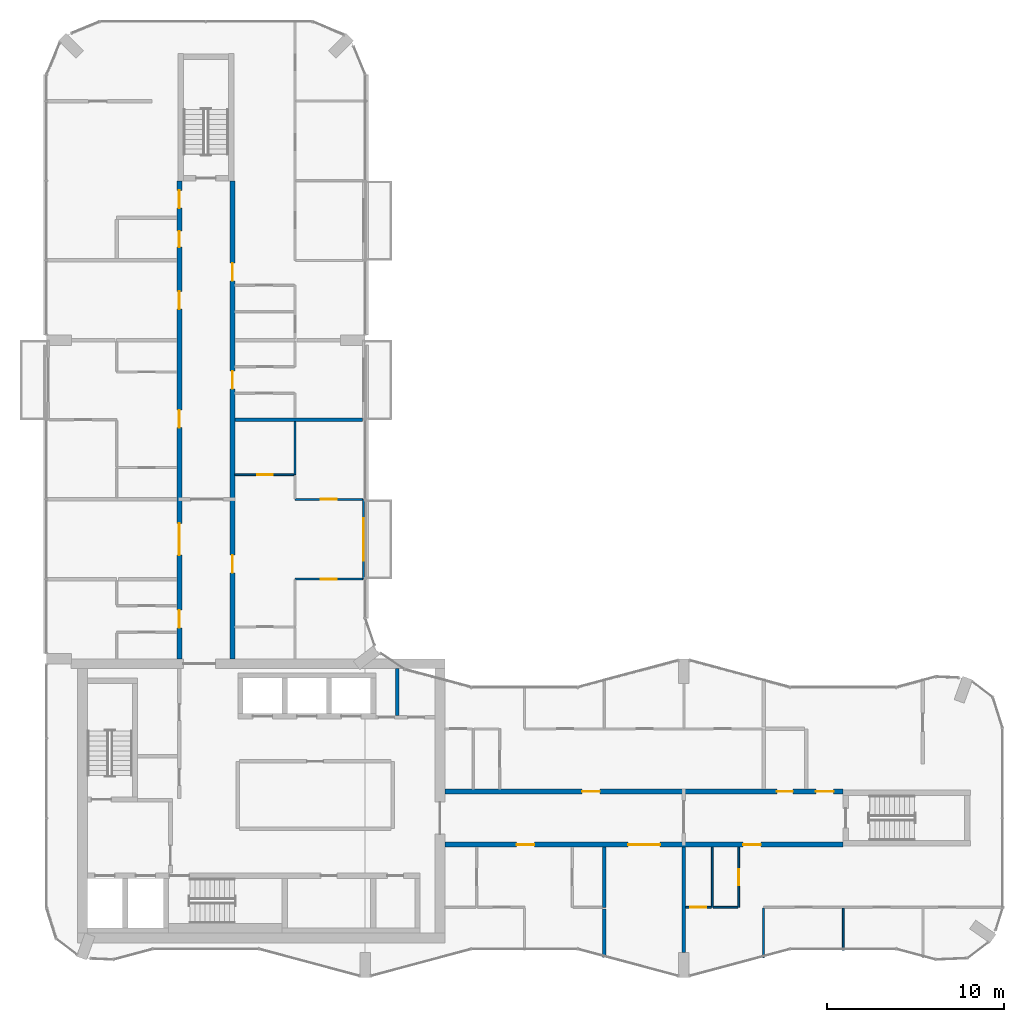
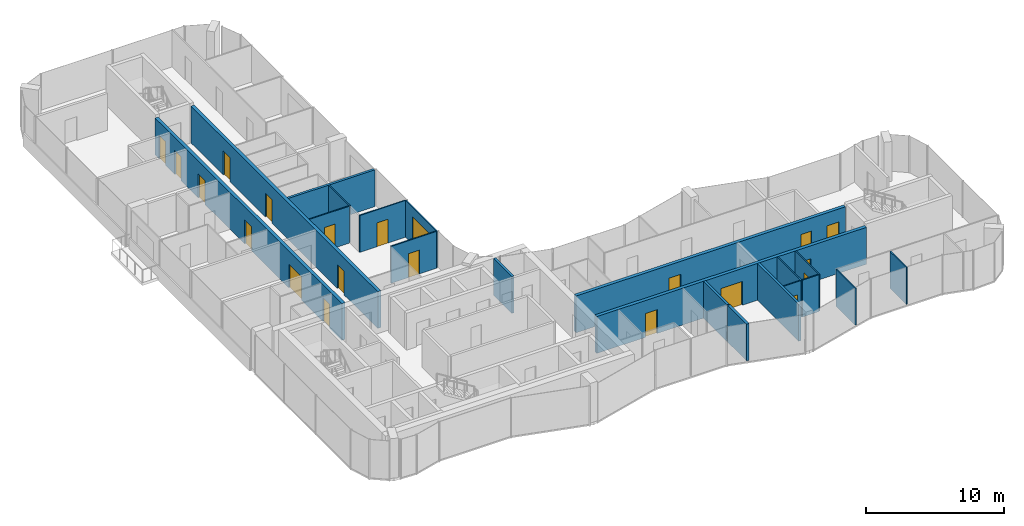
# One storey, part 11 of 15: 21 doors, 20 walls, 21 openings.
"""IFC4 building model written with IfcOpenShell, lengths in metres."""

from ifc_helpers import new_model, si_unit, direction, frame, frame_2d, origin, place, context, subcontext, project, spatial, rectangle, extrude, material, layer, layer_set, type_object, element, fill, save


model = new_model("IFC4")

# Units and contexts
model_context = context("Model", 3, precision=1e-05, world=origin(), true_north=direction((0.0, 1.0)))
body_context = subcontext(model_context, "Body", "Model", "MODEL_VIEW")
ifc_project = project(units=[si_unit("LENGTHUNIT", "METRE"), si_unit("AREAUNIT", "SQUARE_METRE"), si_unit("VOLUMEUNIT", "CUBIC_METRE"), si_unit("PLANEANGLEUNIT", "RADIAN"), si_unit("MASSUNIT", "GRAM", prefix="KILO")], contexts=[model_context])

# Site, building, storey
site_placement = place(None, origin())
site = spatial("IfcSite", under=ifc_project, at=site_placement, CompositionType="ELEMENT")
building_placement = place(site_placement, origin())
building = spatial("IfcBuilding", under=site, at=building_placement, Name="Plateau Cross Towers", CompositionType="ELEMENT")
storey_placement = place(building_placement, frame((0.0, 0.0, 208.39990234375)))
storey = spatial("IfcBuildingStorey", under=building, at=storey_placement, Name="L54", CompositionType="ELEMENT", Elevation=208.39990234375)

# Wall, opening, door
ifc_material_1 = material(Name="Aluminium framed glazing", Category="aluminium")
ifc_layer_1 = layer(ifc_material_1, 0.10009765625)
ifc_layer_set_1 = layer_set([ifc_layer_1], Name="Aluminium framed glazing")
wall_type_1 = type_object("IfcWallType", Name="Balcony screen wall 100", PredefinedType="STANDARD", material=ifc_layer_set_1)
wall_1_placement = place(storey_placement, frame((17.89990234375, 27.0, 0.0), z_axis=(0.0, 0.0, 1.0), x_axis=(0.0, -1.0, 0.0)))
wall_1 = element("IfcWall", 1, at=wall_1_placement, inside=storey, type_object=wall_type_1, Name="Balcony screen wall A-BAL-L54-02", PredefinedType="STANDARD", context=body_context, shape_type="SweptSolid", body=[
    extrude(rectangle(XDim=4.5, YDim=0.10009765625, at=frame_2d((2.25, 0.0))), origin(), (0.0, 0.0, 1.0), 3.25),
])
opening_1_placement = place(wall_1_placement, frame((1.050048828125, 0.0, 0.0)))
opening_1 = element("IfcOpeningElement", 2, at=opening_1_placement, cuts=wall_1, Name="Opening D-B24", PredefinedType="OPENING", context=body_context, shape_type="SweptSolid", body=[
    extrude(rectangle(XDim=2.39990234375, YDim=2.39990234375, at=frame_2d((1.199951171875, 1.199951171875))), frame((0.0, 0.06005859375, 0.0), z_axis=(0.0, -1.0, 0.0), x_axis=(1.0, 0.0, 0.0)), (0.0, 0.0, 1.0), 0.1201171875),
])
ifc_material_2 = material(Name="Aluminium frame, double glazing", Category="aluminium")
door_type_1 = type_object("IfcDoorType", Name="Balcony sliding door 2400", OperationType="NOTDEFINED", PredefinedType="DOOR", material=ifc_material_2)
door_1_placement = place(opening_1_placement, origin())
door_1 = element("IfcDoor", 3, at=door_1_placement, inside=storey, type_object=door_type_1, Name="Balcony door A-BAL-L54-02", OperationType="SINGLE_SWING_LEFT", OverallHeight=2.39990234375, OverallWidth=2.39990234375, PredefinedType="DOOR", context=body_context, shape_type="SweptSolid", body=[
    extrude(rectangle(XDim=2.39990234375, YDim=2.39990234375, at=frame_2d((1.199951171875, 1.199951171875))), frame((0.0, 0.02490234375, 0.0), z_axis=(0.0, -1.0, 0.0), x_axis=(1.0, 0.0, 0.0)), (0.0, 0.0, 1.0), 0.050048828125),
])
fill(opening_1, door_1)

# Wall
ifc_material_3 = material(Name="Concrete block, plastered both sides", Category="concrete")
ifc_layer_2 = layer(ifc_material_3, 0.199951171875)
ifc_layer_set_2 = layer_set([ifc_layer_2], Name="Concrete block, plastered both sides")
wall_type_2 = type_object("IfcWallType", Name="Core partition 200", PredefinedType="PARTITIONING", material=ifc_layer_set_2)
wall_2_placement = place(storey_placement, frame((19.800048828125, 14.800048828125, 0.0), z_axis=(0.0, 0.0, 1.0), x_axis=(0.0, 1.0, 0.0)))
element("IfcWall", 4, at=wall_2_placement, inside=storey, type_object=wall_type_2, Name="Core partition", PredefinedType="PARTITIONING", context=body_context, shape_type="SweptSolid", body=[
    extrude(rectangle(XDim=2.64990234375, YDim=0.199951171875, at=frame_2d((1.324951171875, 0.0))), origin(), (0.0, 0.0, 1.0), 3.25),
])

# Wall, openings, doors
ifc_material_4 = material(Name="Concrete C60/75", Category="concrete")
ifc_layer_3 = layer(ifc_material_4, 0.27490234375)
ifc_layer_set_3 = layer_set([ifc_layer_3], Name="Concrete C60/75")
wall_type_3 = type_object("IfcWallType", Name="Corridor wall 275", PredefinedType="SHEAR", material=ifc_layer_set_3)
wall_3_placement = place(storey_placement, frame((22.5, 7.5, 0.0), z_axis=(0.0, 0.0, 1.0), x_axis=(1.0, 0.0, 0.0)))
wall_3 = element("IfcWall", 5, at=wall_3_placement, inside=storey, type_object=wall_type_3, Name="A-cw-S1@L54", PredefinedType="SHEAR", context=body_context, shape_type="SweptSolid", body=[
    extrude(rectangle(XDim=22.5, YDim=0.27490234375, at=frame_2d((11.25, 0.0))), origin(), (0.0, 0.0, 1.0), 3.25),
])
opening_2_placement = place(wall_3_placement, frame((4.050048828125, 0.0, 0.0)))
opening_2 = element("IfcOpeningElement", 6, at=opening_2_placement, cuts=wall_3, Name="Opening 54-01", PredefinedType="OPENING", context=body_context, shape_type="SweptSolid", body=[
    extrude(rectangle(XDim=1.0, YDim=2.10009765625, at=frame_2d((0.5, 1.050048828125))), frame((0.0, 0.1474609375, 0.0), z_axis=(0.0, -1.0, 0.0), x_axis=(1.0, 0.0, 0.0)), (0.0, 0.0, 1.0), 0.294921875),
])
opening_3_placement = place(wall_3_placement, frame((10.35009765625, 0.0, 0.0)))
opening_3 = element("IfcOpeningElement", 7, at=opening_3_placement, cuts=wall_3, Name="Opening 54-02", PredefinedType="OPENING", context=body_context, shape_type="SweptSolid", body=[
    extrude(rectangle(XDim=1.800048828125, YDim=2.10009765625, at=frame_2d((0.89990234375, 1.050048828125))), frame((0.0, 0.1474609375, 0.0), z_axis=(0.0, -1.0, 0.0), x_axis=(1.0, 0.0, 0.0)), (0.0, 0.0, 1.0), 0.294921875),
])
opening_4_placement = place(wall_3_placement, frame((16.85009765625, 0.0, 0.0)))
opening_4 = element("IfcOpeningElement", 8, at=opening_4_placement, cuts=wall_3, Name="Opening 54-03", PredefinedType="OPENING", context=body_context, shape_type="SweptSolid", body=[
    extrude(rectangle(XDim=1.0, YDim=2.10009765625, at=frame_2d((0.5, 1.050048828125))), frame((0.0, 0.1474609375, 0.0), z_axis=(0.0, -1.0, 0.0), x_axis=(1.0, 0.0, 0.0)), (0.0, 0.0, 1.0), 0.294921875),
])
ifc_material_5 = material(Name="Timber, fire-resisting leaf", Category="wood")
door_type_2 = type_object("IfcDoorType", Name="Flat entrance door 1000", OperationType="NOTDEFINED", PredefinedType="DOOR", material=ifc_material_5)
door_2_placement = place(opening_2_placement, origin())
door_2 = element("IfcDoor", 9, at=door_2_placement, inside=storey, type_object=door_type_2, Name="Door 54-01", OperationType="SINGLE_SWING_LEFT", OverallHeight=2.10009765625, OverallWidth=1.0, PredefinedType="DOOR", context=body_context, shape_type="SweptSolid", body=[
    extrude(rectangle(XDim=1.0, YDim=2.10009765625, at=frame_2d((0.5, 1.050048828125))), frame((0.0, 0.02490234375, 0.0), z_axis=(0.0, -1.0, 0.0), x_axis=(1.0, 0.0, 0.0)), (0.0, 0.0, 1.0), 0.050048828125),
])
fill(opening_2, door_2)
door_3_placement = place(opening_4_placement, origin())
door_3 = element("IfcDoor", 10, at=door_3_placement, inside=storey, type_object=door_type_2, Name="Door 54-03", OperationType="SINGLE_SWING_RIGHT", OverallHeight=2.10009765625, OverallWidth=1.0, PredefinedType="DOOR", context=body_context, shape_type="SweptSolid", body=[
    extrude(rectangle(XDim=1.0, YDim=2.10009765625, at=frame_2d((0.5, 1.050048828125))), frame((0.0, 0.02490234375, 0.0), z_axis=(0.0, -1.0, 0.0), x_axis=(1.0, 0.0, 0.0)), (0.0, 0.0, 1.0), 0.050048828125),
])
fill(opening_4, door_3)
ifc_material_6 = material(Name="Timber, fire-resisting leaves", Category="wood")
door_type_3 = type_object("IfcDoorType", Name="Flat floor fire door pair 1800", OperationType="NOTDEFINED", PredefinedType="DOOR", material=ifc_material_6)
door_4_placement = place(opening_3_placement, origin())
door_4 = element("IfcDoor", 11, at=door_4_placement, inside=storey, type_object=door_type_3, Name="Door 54-02", OperationType="SINGLE_SWING_LEFT", OverallHeight=2.10009765625, OverallWidth=1.800048828125, PredefinedType="DOOR", context=body_context, shape_type="SweptSolid", body=[
    extrude(rectangle(XDim=1.800048828125, YDim=2.10009765625, at=frame_2d((0.89990234375, 1.050048828125))), frame((0.0, 0.02490234375, 0.0), z_axis=(0.0, -1.0, 0.0), x_axis=(1.0, 0.0, 0.0)), (0.0, 0.0, 1.0), 0.050048828125),
])
fill(opening_3, door_4)

wall_4_placement = place(storey_placement, frame((22.5, 10.5, 0.0), z_axis=(0.0, 0.0, 1.0), x_axis=(1.0, 0.0, 0.0)))
wall_4 = element("IfcWall", 12, at=wall_4_placement, inside=storey, type_object=wall_type_3, Name="A-cw-S2@L54", PredefinedType="SHEAR", context=body_context, shape_type="SweptSolid", body=[
    extrude(rectangle(XDim=22.5, YDim=0.27490234375, at=frame_2d((11.25, 0.0))), origin(), (0.0, 0.0, 1.0), 3.25),
])
opening_5_placement = place(wall_4_placement, frame((7.75, 0.0, 0.0)))
opening_5 = element("IfcOpeningElement", 13, at=opening_5_placement, cuts=wall_4, Name="Opening 54-04", PredefinedType="OPENING", context=body_context, shape_type="SweptSolid", body=[
    extrude(rectangle(XDim=1.0, YDim=2.10009765625, at=frame_2d((0.5, 1.050048828125))), frame((0.0, 0.1474609375, 0.0), z_axis=(0.0, -1.0, 0.0), x_axis=(1.0, 0.0, 0.0)), (0.0, 0.0, 1.0), 0.294921875),
])
opening_6_placement = place(wall_4_placement, frame((18.75, 0.0, 0.0)))
opening_6 = element("IfcOpeningElement", 14, at=opening_6_placement, cuts=wall_4, Name="Opening 54-05", PredefinedType="OPENING", context=body_context, shape_type="SweptSolid", body=[
    extrude(rectangle(XDim=0.89990234375, YDim=2.10009765625, at=frame_2d((0.449951171875, 1.050048828125))), frame((0.0, 0.1474609375, 0.0), z_axis=(0.0, -1.0, 0.0), x_axis=(1.0, 0.0, 0.0)), (0.0, 0.0, 1.0), 0.294921875),
])
opening_7_placement = place(wall_4_placement, frame((20.949951171875, 0.0, 0.0)))
opening_7 = element("IfcOpeningElement", 15, at=opening_7_placement, cuts=wall_4, Name="Opening 54-06", PredefinedType="OPENING", context=body_context, shape_type="SweptSolid", body=[
    extrude(rectangle(XDim=1.0, YDim=2.10009765625, at=frame_2d((0.5, 1.050048828125))), frame((0.0, 0.1474609375, 0.0), z_axis=(0.0, -1.0, 0.0), x_axis=(1.0, 0.0, 0.0)), (0.0, 0.0, 1.0), 0.294921875),
])
door_5_placement = place(opening_5_placement, origin())
door_5 = element("IfcDoor", 16, at=door_5_placement, inside=storey, type_object=door_type_2, Name="Door 54-04", OperationType="SINGLE_SWING_LEFT", OverallHeight=2.10009765625, OverallWidth=1.0, PredefinedType="DOOR", context=body_context, shape_type="SweptSolid", body=[
    extrude(rectangle(XDim=1.0, YDim=2.10009765625, at=frame_2d((0.5, 1.050048828125))), frame((0.0, 0.02490234375, 0.0), z_axis=(0.0, -1.0, 0.0), x_axis=(1.0, 0.0, 0.0)), (0.0, 0.0, 1.0), 0.050048828125),
])
fill(opening_5, door_5)
door_6_placement = place(opening_7_placement, origin())
door_6 = element("IfcDoor", 17, at=door_6_placement, inside=storey, type_object=door_type_2, Name="Door 54-06", OperationType="SINGLE_SWING_RIGHT", OverallHeight=2.10009765625, OverallWidth=1.0, PredefinedType="DOOR", context=body_context, shape_type="SweptSolid", body=[
    extrude(rectangle(XDim=1.0, YDim=2.10009765625, at=frame_2d((0.5, 1.050048828125))), frame((0.0, 0.02490234375, 0.0), z_axis=(0.0, -1.0, 0.0), x_axis=(1.0, 0.0, 0.0)), (0.0, 0.0, 1.0), 0.050048828125),
])
fill(opening_7, door_6)
door_type_4 = type_object("IfcDoorType", Name="Flat floor service door 900", OperationType="NOTDEFINED", PredefinedType="DOOR", material=ifc_material_5)
door_7_placement = place(opening_6_placement, origin())
door_7 = element("IfcDoor", 18, at=door_7_placement, inside=storey, type_object=door_type_4, Name="Door 54-05", OperationType="SINGLE_SWING_RIGHT", OverallHeight=2.10009765625, OverallWidth=0.89990234375, PredefinedType="DOOR", context=body_context, shape_type="SweptSolid", body=[
    extrude(rectangle(XDim=0.89990234375, YDim=2.10009765625, at=frame_2d((0.449951171875, 1.050048828125))), frame((0.0, 0.02490234375, 0.0), z_axis=(0.0, -1.0, 0.0), x_axis=(1.0, 0.0, 0.0)), (0.0, 0.0, 1.0), 0.050048828125),
])
fill(opening_6, door_7)

wall_5_placement = place(storey_placement, frame((7.5, 18.0, 0.0), z_axis=(0.0, 0.0, 1.0), x_axis=(0.0, 1.0, 0.0)))
wall_5 = element("IfcWall", 19, at=wall_5_placement, inside=storey, type_object=wall_type_3, Name="A-cw-W1@L54", PredefinedType="SHEAR", context=body_context, shape_type="SweptSolid", body=[
    extrude(rectangle(XDim=27.0, YDim=0.27490234375, at=frame_2d((13.5, 0.0))), origin(), (0.0, 0.0, 1.0), 3.25),
])
opening_8_placement = place(wall_5_placement, frame((1.75, 0.0, 0.0)))
opening_8 = element("IfcOpeningElement", 20, at=opening_8_placement, cuts=wall_5, Name="Opening 54-07", PredefinedType="OPENING", context=body_context, shape_type="SweptSolid", body=[
    extrude(rectangle(XDim=1.0, YDim=2.10009765625, at=frame_2d((0.5, 1.050048828125))), frame((0.0, 0.1474609375, 0.0), z_axis=(0.0, -1.0, 0.0), x_axis=(1.0, 0.0, 0.0)), (0.0, 0.0, 1.0), 0.294921875),
])
opening_9_placement = place(wall_5_placement, frame((5.85009765625, 0.0, 0.0)))
opening_9 = element("IfcOpeningElement", 21, at=opening_9_placement, cuts=wall_5, Name="Opening 54-08", PredefinedType="OPENING", context=body_context, shape_type="SweptSolid", body=[
    extrude(rectangle(XDim=1.800048828125, YDim=2.10009765625, at=frame_2d((0.89990234375, 1.050048828125))), frame((0.0, 0.1474609375, 0.0), z_axis=(0.0, -1.0, 0.0), x_axis=(1.0, 0.0, 0.0)), (0.0, 0.0, 1.0), 0.294921875),
])
opening_10_placement = place(wall_5_placement, frame((13.050048828125, 0.0, 0.0)))
opening_10 = element("IfcOpeningElement", 22, at=opening_10_placement, cuts=wall_5, Name="Opening 54-09", PredefinedType="OPENING", context=body_context, shape_type="SweptSolid", body=[
    extrude(rectangle(XDim=1.0, YDim=2.10009765625, at=frame_2d((0.5, 1.050048828125))), frame((0.0, 0.1474609375, 0.0), z_axis=(0.0, -1.0, 0.0), x_axis=(1.0, 0.0, 0.0)), (0.0, 0.0, 1.0), 0.294921875),
])
opening_11_placement = place(wall_5_placement, frame((19.75, 0.0, 0.0)))
opening_11 = element("IfcOpeningElement", 23, at=opening_11_placement, cuts=wall_5, Name="Opening 54-10", PredefinedType="OPENING", context=body_context, shape_type="SweptSolid", body=[
    extrude(rectangle(XDim=1.0, YDim=2.10009765625, at=frame_2d((0.5, 1.050048828125))), frame((0.0, 0.1474609375, 0.0), z_axis=(0.0, -1.0, 0.0), x_axis=(1.0, 0.0, 0.0)), (0.0, 0.0, 1.0), 0.294921875),
])
opening_12_placement = place(wall_5_placement, frame((23.25, 0.0, 0.0)))
opening_12 = element("IfcOpeningElement", 24, at=opening_12_placement, cuts=wall_5, Name="Opening 54-11", PredefinedType="OPENING", context=body_context, shape_type="SweptSolid", body=[
    extrude(rectangle(XDim=0.89990234375, YDim=2.10009765625, at=frame_2d((0.449951171875, 1.050048828125))), frame((0.0, 0.1474609375, 0.0), z_axis=(0.0, -1.0, 0.0), x_axis=(1.0, 0.0, 0.0)), (0.0, 0.0, 1.0), 0.294921875),
])
opening_13_placement = place(wall_5_placement, frame((25.449951171875, 0.0, 0.0)))
opening_13 = element("IfcOpeningElement", 25, at=opening_13_placement, cuts=wall_5, Name="Opening 54-12", PredefinedType="OPENING", context=body_context, shape_type="SweptSolid", body=[
    extrude(rectangle(XDim=1.0, YDim=2.10009765625, at=frame_2d((0.5, 1.050048828125))), frame((0.0, 0.1474609375, 0.0), z_axis=(0.0, -1.0, 0.0), x_axis=(1.0, 0.0, 0.0)), (0.0, 0.0, 1.0), 0.294921875),
])
door_8_placement = place(opening_8_placement, origin())
door_8 = element("IfcDoor", 26, at=door_8_placement, inside=storey, type_object=door_type_2, Name="Door 54-07", OperationType="SINGLE_SWING_LEFT", OverallHeight=2.10009765625, OverallWidth=1.0, PredefinedType="DOOR", context=body_context, shape_type="SweptSolid", body=[
    extrude(rectangle(XDim=1.0, YDim=2.10009765625, at=frame_2d((0.5, 1.050048828125))), frame((0.0, 0.02490234375, 0.0), z_axis=(0.0, -1.0, 0.0), x_axis=(1.0, 0.0, 0.0)), (0.0, 0.0, 1.0), 0.050048828125),
])
fill(opening_8, door_8)
door_9_placement = place(opening_10_placement, origin())
door_9 = element("IfcDoor", 27, at=door_9_placement, inside=storey, type_object=door_type_2, Name="Door 54-09", OperationType="SINGLE_SWING_RIGHT", OverallHeight=2.10009765625, OverallWidth=1.0, PredefinedType="DOOR", context=body_context, shape_type="SweptSolid", body=[
    extrude(rectangle(XDim=1.0, YDim=2.10009765625, at=frame_2d((0.5, 1.050048828125))), frame((0.0, 0.02490234375, 0.0), z_axis=(0.0, -1.0, 0.0), x_axis=(1.0, 0.0, 0.0)), (0.0, 0.0, 1.0), 0.050048828125),
])
fill(opening_10, door_9)
door_10_placement = place(opening_11_placement, origin())
door_10 = element("IfcDoor", 28, at=door_10_placement, inside=storey, type_object=door_type_2, Name="Door 54-10", OperationType="SINGLE_SWING_RIGHT", OverallHeight=2.10009765625, OverallWidth=1.0, PredefinedType="DOOR", context=body_context, shape_type="SweptSolid", body=[
    extrude(rectangle(XDim=1.0, YDim=2.10009765625, at=frame_2d((0.5, 1.050048828125))), frame((0.0, 0.02490234375, 0.0), z_axis=(0.0, -1.0, 0.0), x_axis=(1.0, 0.0, 0.0)), (0.0, 0.0, 1.0), 0.050048828125),
])
fill(opening_11, door_10)
door_11_placement = place(opening_13_placement, origin())
door_11 = element("IfcDoor", 29, at=door_11_placement, inside=storey, type_object=door_type_2, Name="Door 54-12", OperationType="SINGLE_SWING_RIGHT", OverallHeight=2.10009765625, OverallWidth=1.0, PredefinedType="DOOR", context=body_context, shape_type="SweptSolid", body=[
    extrude(rectangle(XDim=1.0, YDim=2.10009765625, at=frame_2d((0.5, 1.050048828125))), frame((0.0, 0.02490234375, 0.0), z_axis=(0.0, -1.0, 0.0), x_axis=(1.0, 0.0, 0.0)), (0.0, 0.0, 1.0), 0.050048828125),
])
fill(opening_13, door_11)
door_12_placement = place(opening_9_placement, origin())
door_12 = element("IfcDoor", 30, at=door_12_placement, inside=storey, type_object=door_type_3, Name="Door 54-08", OperationType="SINGLE_SWING_LEFT", OverallHeight=2.10009765625, OverallWidth=1.800048828125, PredefinedType="DOOR", context=body_context, shape_type="SweptSolid", body=[
    extrude(rectangle(XDim=1.800048828125, YDim=2.10009765625, at=frame_2d((0.89990234375, 1.050048828125))), frame((0.0, 0.02490234375, 0.0), z_axis=(0.0, -1.0, 0.0), x_axis=(1.0, 0.0, 0.0)), (0.0, 0.0, 1.0), 0.050048828125),
])
fill(opening_9, door_12)
door_13_placement = place(opening_12_placement, origin())
door_13 = element("IfcDoor", 31, at=door_13_placement, inside=storey, type_object=door_type_4, Name="Door 54-11", OperationType="SINGLE_SWING_RIGHT", OverallHeight=2.10009765625, OverallWidth=0.89990234375, PredefinedType="DOOR", context=body_context, shape_type="SweptSolid", body=[
    extrude(rectangle(XDim=0.89990234375, YDim=2.10009765625, at=frame_2d((0.449951171875, 1.050048828125))), frame((0.0, 0.02490234375, 0.0), z_axis=(0.0, -1.0, 0.0), x_axis=(1.0, 0.0, 0.0)), (0.0, 0.0, 1.0), 0.050048828125),
])
fill(opening_12, door_13)

wall_6_placement = place(storey_placement, frame((10.5, 18.0, 0.0), z_axis=(0.0, 0.0, 1.0), x_axis=(0.0, 1.0, 0.0)))
wall_6 = element("IfcWall", 32, at=wall_6_placement, inside=storey, type_object=wall_type_3, Name="A-cw-W2@L54", PredefinedType="SHEAR", context=body_context, shape_type="SweptSolid", body=[
    extrude(rectangle(XDim=27.0, YDim=0.27490234375, at=frame_2d((13.5, 0.0))), origin(), (0.0, 0.0, 1.0), 3.25),
])
opening_14_placement = place(wall_6_placement, frame((4.85009765625, 0.0, 0.0)))
opening_14 = element("IfcOpeningElement", 33, at=opening_14_placement, cuts=wall_6, Name="Opening 54-13", PredefinedType="OPENING", context=body_context, shape_type="SweptSolid", body=[
    extrude(rectangle(XDim=1.0, YDim=2.10009765625, at=frame_2d((0.5, 1.050048828125))), frame((0.0, 0.1474609375, 0.0), z_axis=(0.0, -1.0, 0.0), x_axis=(1.0, 0.0, 0.0)), (0.0, 0.0, 1.0), 0.294921875),
])
opening_15_placement = place(wall_6_placement, frame((15.25, 0.0, 0.0)))
opening_15 = element("IfcOpeningElement", 34, at=opening_15_placement, cuts=wall_6, Name="Opening 54-14", PredefinedType="OPENING", context=body_context, shape_type="SweptSolid", body=[
    extrude(rectangle(XDim=1.0, YDim=2.10009765625, at=frame_2d((0.5, 1.050048828125))), frame((0.0, 0.1474609375, 0.0), z_axis=(0.0, -1.0, 0.0), x_axis=(1.0, 0.0, 0.0)), (0.0, 0.0, 1.0), 0.294921875),
])
opening_16_placement = place(wall_6_placement, frame((21.35009765625, 0.0, 0.0)))
opening_16 = element("IfcOpeningElement", 35, at=opening_16_placement, cuts=wall_6, Name="Opening 54-15", PredefinedType="OPENING", context=body_context, shape_type="SweptSolid", body=[
    extrude(rectangle(XDim=1.0, YDim=2.10009765625, at=frame_2d((0.5, 1.050048828125))), frame((0.0, 0.1474609375, 0.0), z_axis=(0.0, -1.0, 0.0), x_axis=(1.0, 0.0, 0.0)), (0.0, 0.0, 1.0), 0.294921875),
])
door_14_placement = place(opening_14_placement, origin())
door_14 = element("IfcDoor", 36, at=door_14_placement, inside=storey, type_object=door_type_2, Name="Door 54-13", OperationType="SINGLE_SWING_LEFT", OverallHeight=2.10009765625, OverallWidth=1.0, PredefinedType="DOOR", context=body_context, shape_type="SweptSolid", body=[
    extrude(rectangle(XDim=1.0, YDim=2.10009765625, at=frame_2d((0.5, 1.050048828125))), frame((0.0, 0.02490234375, 0.0), z_axis=(0.0, -1.0, 0.0), x_axis=(1.0, 0.0, 0.0)), (0.0, 0.0, 1.0), 0.050048828125),
])
fill(opening_14, door_14)
door_15_placement = place(opening_15_placement, origin())
door_15 = element("IfcDoor", 37, at=door_15_placement, inside=storey, type_object=door_type_2, Name="Door 54-14", OperationType="SINGLE_SWING_RIGHT", OverallHeight=2.10009765625, OverallWidth=1.0, PredefinedType="DOOR", context=body_context, shape_type="SweptSolid", body=[
    extrude(rectangle(XDim=1.0, YDim=2.10009765625, at=frame_2d((0.5, 1.050048828125))), frame((0.0, 0.02490234375, 0.0), z_axis=(0.0, -1.0, 0.0), x_axis=(1.0, 0.0, 0.0)), (0.0, 0.0, 1.0), 0.050048828125),
])
fill(opening_15, door_15)
door_16_placement = place(opening_16_placement, origin())
door_16 = element("IfcDoor", 38, at=door_16_placement, inside=storey, type_object=door_type_2, Name="Door 54-15", OperationType="SINGLE_SWING_RIGHT", OverallHeight=2.10009765625, OverallWidth=1.0, PredefinedType="DOOR", context=body_context, shape_type="SweptSolid", body=[
    extrude(rectangle(XDim=1.0, YDim=2.10009765625, at=frame_2d((0.5, 1.050048828125))), frame((0.0, 0.02490234375, 0.0), z_axis=(0.0, -1.0, 0.0), x_axis=(1.0, 0.0, 0.0)), (0.0, 0.0, 1.0), 0.050048828125),
])
fill(opening_16, door_16)

# Wall, opening, door
ifc_material_7 = material(Name="Gypsum board on steel studs", Category="steel")
ifc_layer_4 = layer(ifc_material_7, 0.10009765625)
ifc_layer_set_4 = layer_set([ifc_layer_4], Name="Gypsum board on steel studs")
wall_type_4 = type_object("IfcWallType", Name="Flat partition 100", PredefinedType="PARTITIONING", material=ifc_layer_set_4)
wall_7_placement = place(storey_placement, frame((36.10009765625, 3.96240234375, 0.0), z_axis=(0.0, 0.0, 1.0), x_axis=(1.0, 0.0, 0.0)))
wall_7 = element("IfcWall", 39, at=wall_7_placement, inside=storey, type_object=wall_type_4, Name="Partition wall", PredefinedType="PARTITIONING", context=body_context, shape_type="SweptSolid", body=[
    extrude(rectangle(XDim=1.449951171875, YDim=0.10009765625, at=frame_2d((0.72509765625, 0.0))), origin(), (0.0, 0.0, 1.0), 3.25),
])
opening_17_placement = place(wall_7_placement, frame((0.25, 0.0, 0.0)))
opening_17 = element("IfcOpeningElement", 40, at=opening_17_placement, cuts=wall_7, Name="Opening 54-23", PredefinedType="OPENING", context=body_context, shape_type="SweptSolid", body=[
    extrude(rectangle(XDim=0.89990234375, YDim=2.10009765625, at=frame_2d((0.449951171875, 1.050048828125))), frame((0.0, 0.06005859375, 0.0), z_axis=(0.0, -1.0, 0.0), x_axis=(1.0, 0.0, 0.0)), (0.0, 0.0, 1.0), 0.1201171875),
])
ifc_material_8 = material(Name="Timber leaf", Category="wood")
door_type_5 = type_object("IfcDoorType", Name="Flat room door 900", OperationType="NOTDEFINED", PredefinedType="DOOR", material=ifc_material_8)
door_17_placement = place(opening_17_placement, origin())
door_17 = element("IfcDoor", 41, at=door_17_placement, inside=storey, type_object=door_type_5, Name="Door 54-23", OperationType="SINGLE_SWING_LEFT", OverallHeight=2.10009765625, OverallWidth=0.89990234375, PredefinedType="DOOR", context=body_context, shape_type="SweptSolid", body=[
    extrude(rectangle(XDim=0.89990234375, YDim=2.10009765625, at=frame_2d((0.449951171875, 1.050048828125))), frame((0.0, 0.02490234375, 0.0), z_axis=(0.0, -1.0, 0.0), x_axis=(1.0, 0.0, 0.0)), (0.0, 0.0, 1.0), 0.050048828125),
])
fill(opening_17, door_17)

# Wall
wall_8_placement = place(storey_placement, frame((37.64990234375, 3.96240234375, 0.0), z_axis=(0.0, 0.0, 1.0), x_axis=(1.0, 0.0, 0.0)))
element("IfcWall", 42, at=wall_8_placement, inside=storey, type_object=wall_type_4, Name="Partition wall", PredefinedType="PARTITIONING", context=body_context, shape_type="SweptSolid", body=[
    extrude(rectangle(XDim=1.400146484375, YDim=0.10009765625, at=frame_2d((0.7001953125, 0.0))), origin(), (0.0, 0.0, 1.0), 3.25),
])

# Wall, opening, door
wall_9_placement = place(storey_placement, frame((17.85009765625, 22.5, 0.0), z_axis=(0.0, 0.0, 1.0), x_axis=(-1.0, 0.0, 0.0)))
wall_9 = element("IfcWall", 43, at=wall_9_placement, inside=storey, type_object=wall_type_4, Name="Partition wall", PredefinedType="PARTITIONING", context=body_context, shape_type="SweptSolid", body=[
    extrude(rectangle(XDim=3.8125, YDim=0.10009765625, at=frame_2d((1.90625, 0.0))), origin(), (0.0, 0.0, 1.0), 3.25),
])
opening_18_placement = place(wall_9_placement, frame((1.449951171875, 0.0, 0.0)))
opening_18 = element("IfcOpeningElement", 44, at=opening_18_placement, cuts=wall_9, Name="Opening 54-40", PredefinedType="OPENING", context=body_context, shape_type="SweptSolid", body=[
    extrude(rectangle(XDim=0.89990234375, YDim=2.10009765625, at=frame_2d((0.449951171875, 1.050048828125))), frame((0.0, 0.06005859375, 0.0), z_axis=(0.0, -1.0, 0.0), x_axis=(1.0, 0.0, 0.0)), (0.0, 0.0, 1.0), 0.1201171875),
])
door_18_placement = place(opening_18_placement, origin())
door_18 = element("IfcDoor", 45, at=door_18_placement, inside=storey, type_object=door_type_5, Name="Door 54-40", OperationType="SINGLE_SWING_LEFT", OverallHeight=2.10009765625, OverallWidth=0.89990234375, PredefinedType="DOOR", context=body_context, shape_type="SweptSolid", body=[
    extrude(rectangle(XDim=0.89990234375, YDim=2.10009765625, at=frame_2d((0.449951171875, 1.050048828125))), frame((0.0, 0.02490234375, 0.0), z_axis=(0.0, -1.0, 0.0), x_axis=(1.0, 0.0, 0.0)), (0.0, 0.0, 1.0), 0.050048828125),
])
fill(opening_18, door_18)

wall_10_placement = place(storey_placement, frame((14.03759765625, 27.0, 0.0), z_axis=(0.0, 0.0, 1.0), x_axis=(1.0, 0.0, 0.0)))
wall_10 = element("IfcWall", 46, at=wall_10_placement, inside=storey, type_object=wall_type_4, Name="Partition wall", PredefinedType="PARTITIONING", context=body_context, shape_type="SweptSolid", body=[
    extrude(rectangle(XDim=3.8125, YDim=0.10009765625, at=frame_2d((1.90625, 0.0))), origin(), (0.0, 0.0, 1.0), 3.25),
])
opening_19_placement = place(wall_10_placement, frame((1.449951171875, 0.0, 0.0)))
opening_19 = element("IfcOpeningElement", 47, at=opening_19_placement, cuts=wall_10, Name="Opening 54-41", PredefinedType="OPENING", context=body_context, shape_type="SweptSolid", body=[
    extrude(rectangle(XDim=0.89990234375, YDim=2.10009765625, at=frame_2d((0.449951171875, 1.050048828125))), frame((0.0, 0.06005859375, 0.0), z_axis=(0.0, -1.0, 0.0), x_axis=(1.0, 0.0, 0.0)), (0.0, 0.0, 1.0), 0.1201171875),
])
door_19_placement = place(opening_19_placement, origin())
door_19 = element("IfcDoor", 48, at=door_19_placement, inside=storey, type_object=door_type_5, Name="Door 54-41", OperationType="SINGLE_SWING_LEFT", OverallHeight=2.10009765625, OverallWidth=0.89990234375, PredefinedType="DOOR", context=body_context, shape_type="SweptSolid", body=[
    extrude(rectangle(XDim=0.89990234375, YDim=2.10009765625, at=frame_2d((0.449951171875, 1.050048828125))), frame((0.0, 0.02490234375, 0.0), z_axis=(0.0, -1.0, 0.0), x_axis=(1.0, 0.0, 0.0)), (0.0, 0.0, 1.0), 0.050048828125),
])
fill(opening_19, door_19)

wall_11_placement = place(storey_placement, frame((10.637451171875, 28.39990234375, 0.0), z_axis=(0.0, 0.0, 1.0), x_axis=(1.0, 0.0, 0.0)))
wall_11 = element("IfcWall", 49, at=wall_11_placement, inside=storey, type_object=wall_type_4, Name="Partition wall", PredefinedType="PARTITIONING", context=body_context, shape_type="SweptSolid", body=[
    extrude(rectangle(XDim=3.35009765625, YDim=0.10009765625, at=frame_2d((1.675048828125, 0.0))), origin(), (0.0, 0.0, 1.0), 3.25),
])
opening_20_placement = place(wall_11_placement, frame((1.25, 0.0, 0.0)))
opening_20 = element("IfcOpeningElement", 50, at=opening_20_placement, cuts=wall_11, Name="Opening 54-39", PredefinedType="OPENING", context=body_context, shape_type="SweptSolid", body=[
    extrude(rectangle(XDim=0.89990234375, YDim=2.10009765625, at=frame_2d((0.449951171875, 1.050048828125))), frame((0.0, 0.06005859375, 0.0), z_axis=(0.0, -1.0, 0.0), x_axis=(1.0, 0.0, 0.0)), (0.0, 0.0, 1.0), 0.1201171875),
])
door_20_placement = place(opening_20_placement, origin())
door_20 = element("IfcDoor", 51, at=door_20_placement, inside=storey, type_object=door_type_5, Name="Door 54-39", OperationType="SINGLE_SWING_RIGHT", OverallHeight=2.10009765625, OverallWidth=0.89990234375, PredefinedType="DOOR", context=body_context, shape_type="SweptSolid", body=[
    extrude(rectangle(XDim=0.89990234375, YDim=2.10009765625, at=frame_2d((0.449951171875, 1.050048828125))), frame((0.0, 0.02490234375, 0.0), z_axis=(0.0, -1.0, 0.0), x_axis=(1.0, 0.0, 0.0)), (0.0, 0.0, 1.0), 0.050048828125),
])
fill(opening_20, door_20)

# Walls
wall_12_placement = place(storey_placement, frame((14.03759765625, 28.39990234375, 0.0), z_axis=(0.0, 0.0, 1.0), x_axis=(0.0, 1.0, 0.0)))
element("IfcWall", 52, at=wall_12_placement, inside=storey, type_object=wall_type_4, Name="Partition wall", PredefinedType="PARTITIONING", context=body_context, shape_type="SweptSolid", body=[
    extrude(rectangle(XDim=3.0, YDim=0.10009765625, at=frame_2d((1.5, 0.0))), origin(), (0.0, 0.0, 1.0), 3.25),
])
wall_13_placement = place(storey_placement, frame((37.60009765625, 3.96240234375, 0.0), z_axis=(0.0, 0.0, 1.0), x_axis=(0.0, 1.0, 0.0)))
element("IfcWall", 53, at=wall_13_placement, inside=storey, type_object=wall_type_4, Name="Partition wall", PredefinedType="PARTITIONING", context=body_context, shape_type="SweptSolid", body=[
    extrude(rectangle(XDim=3.400146484375, YDim=0.10009765625, at=frame_2d((1.7001953125, 0.0))), origin(), (0.0, 0.0, 1.0), 3.25),
])

# Wall, opening, door
wall_14_placement = place(storey_placement, frame((39.10009765625, 3.96240234375, 0.0), z_axis=(0.0, 0.0, 1.0), x_axis=(0.0, 1.0, 0.0)))
wall_14 = element("IfcWall", 54, at=wall_14_placement, inside=storey, type_object=wall_type_4, Name="Partition wall", PredefinedType="PARTITIONING", context=body_context, shape_type="SweptSolid", body=[
    extrude(rectangle(XDim=3.400146484375, YDim=0.10009765625, at=frame_2d((1.7001953125, 0.0))), origin(), (0.0, 0.0, 1.0), 3.25),
])
opening_21_placement = place(wall_14_placement, frame((1.25, 0.0, 0.0)))
opening_21 = element("IfcOpeningElement", 55, at=opening_21_placement, cuts=wall_14, Name="Opening 54-24", PredefinedType="OPENING", context=body_context, shape_type="SweptSolid", body=[
    extrude(rectangle(XDim=0.89990234375, YDim=2.10009765625, at=frame_2d((0.449951171875, 1.050048828125))), frame((0.0, 0.06005859375, 0.0), z_axis=(0.0, -1.0, 0.0), x_axis=(1.0, 0.0, 0.0)), (0.0, 0.0, 1.0), 0.1201171875),
])
door_21_placement = place(opening_21_placement, origin())
door_21 = element("IfcDoor", 56, at=door_21_placement, inside=storey, type_object=door_type_5, Name="Door 54-24", OperationType="SINGLE_SWING_LEFT", OverallHeight=2.10009765625, OverallWidth=0.89990234375, PredefinedType="DOOR", context=body_context, shape_type="SweptSolid", body=[
    extrude(rectangle(XDim=0.89990234375, YDim=2.10009765625, at=frame_2d((0.449951171875, 1.050048828125))), frame((0.0, 0.02490234375, 0.0), z_axis=(0.0, -1.0, 0.0), x_axis=(1.0, 0.0, 0.0)), (0.0, 0.0, 1.0), 0.050048828125),
])
fill(opening_21, door_21)

# Walls
wall_15_placement = place(storey_placement, frame((40.5, 3.91259765625, 0.0), z_axis=(0.0, 0.0, 1.0), x_axis=(0.0, -1.0, 0.0)))
element("IfcWall", 57, at=wall_15_placement, inside=storey, type_object=wall_type_4, Name="Partition wall", PredefinedType="PARTITIONING", context=body_context, shape_type="SweptSolid", body=[
    extrude(rectangle(XDim=2.790283203125, YDim=0.10009765625, at=frame_2d((1.39501953125, 0.0))), origin(), (0.0, 0.0, 1.0), 3.25),
])
wall_16_placement = place(storey_placement, frame((45.0, 1.52685546875, 0.0), z_axis=(0.0, 0.0, 1.0), x_axis=(0.0, 1.0, 0.0)))
element("IfcWall", 58, at=wall_16_placement, inside=storey, type_object=wall_type_4, Name="Partition wall", PredefinedType="PARTITIONING", context=body_context, shape_type="SweptSolid", body=[
    extrude(rectangle(XDim=2.3857421875, YDim=0.10009765625, at=frame_2d((1.19287109375, 0.0))), origin(), (0.0, 0.0, 1.0), 3.25),
])
ifc_material_9 = material(Name="Gypsum board on steel studs, two layers each side", Category="steel")
ifc_layer_5 = layer(ifc_material_9, 0.199951171875)
ifc_layer_set_5 = layer_set([ifc_layer_5], Name="Gypsum board on steel studs, two layers each side")
wall_type_5 = type_object("IfcWallType", Name="Flat party wall 200", PredefinedType="PARTITIONING", material=ifc_layer_set_5)
wall_17_placement = place(storey_placement, frame((17.85009765625, 31.5, 0.0), z_axis=(0.0, 0.0, 1.0), x_axis=(-1.0, 0.0, 0.0)))
element("IfcWall", 59, at=wall_17_placement, inside=storey, type_object=wall_type_5, Name="Party wall", PredefinedType="PARTITIONING", context=body_context, shape_type="SweptSolid", body=[
    extrude(rectangle(XDim=7.212646484375, YDim=0.199951171875, at=frame_2d((3.6064453125, 0.0))), origin(), (0.0, 0.0, 1.0), 3.25),
])
wall_18_placement = place(storey_placement, frame((31.5, 3.862548828125, 0.0), z_axis=(0.0, 0.0, 1.0), x_axis=(0.0, -1.0, 0.0)))
element("IfcWall", 60, at=wall_18_placement, inside=storey, type_object=wall_type_5, Name="Party wall", PredefinedType="PARTITIONING", context=body_context, shape_type="SweptSolid", body=[
    extrude(rectangle(XDim=2.740234375, YDim=0.199951171875, at=frame_2d((1.3701171875, 0.0))), origin(), (0.0, 0.0, 1.0), 3.25),
])
wall_19_placement = place(storey_placement, frame((31.5, 3.96240234375, 0.0), z_axis=(0.0, 0.0, 1.0), x_axis=(0.0, 1.0, 0.0)))
element("IfcWall", 61, at=wall_19_placement, inside=storey, type_object=wall_type_5, Name="Party wall", PredefinedType="PARTITIONING", context=body_context, shape_type="SweptSolid", body=[
    extrude(rectangle(XDim=3.400146484375, YDim=0.199951171875, at=frame_2d((1.7001953125, 0.0))), origin(), (0.0, 0.0, 1.0), 3.25),
])
wall_20_placement = place(storey_placement, frame((36.0, 1.39990234375, 0.0), z_axis=(0.0, 0.0, 1.0), x_axis=(0.0, 1.0, 0.0)))
element("IfcWall", 62, at=wall_20_placement, inside=storey, type_object=wall_type_5, Name="Party wall", PredefinedType="PARTITIONING", context=body_context, shape_type="SweptSolid", body=[
    extrude(rectangle(XDim=5.962646484375, YDim=0.199951171875, at=frame_2d((2.9814453125, 0.0))), origin(), (0.0, 0.0, 1.0), 3.25),
])

save(model, "model.ifc")
